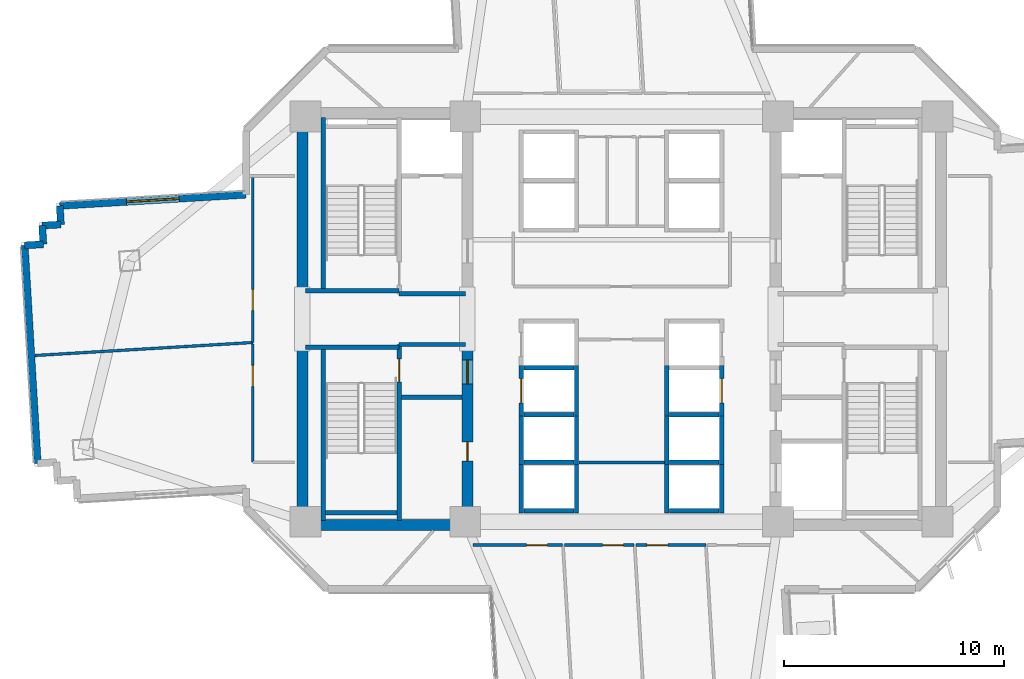
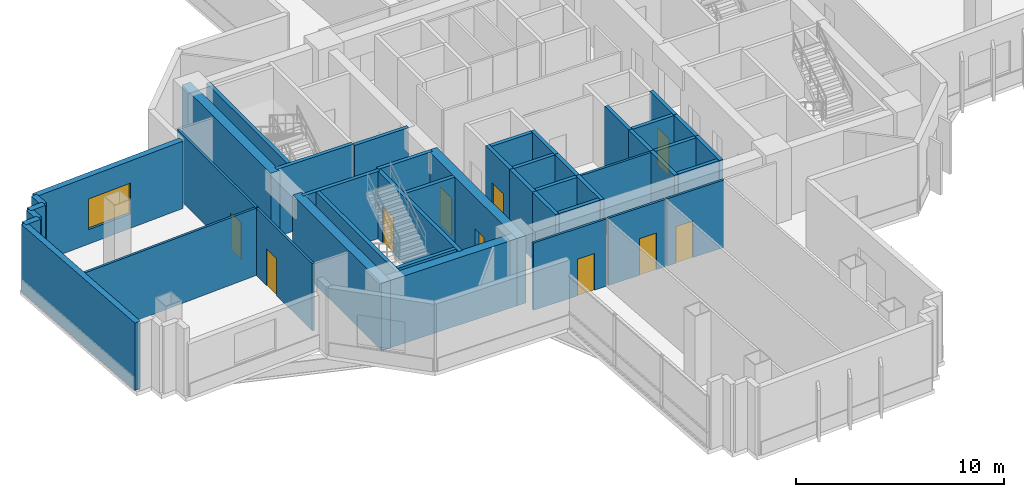
# One storey, part 6 of 15: 45 walls, 10 doors, 1 window, 11 openings.
"""IFC4 building model written with IfcOpenShell, lengths in metres."""

from ifc_helpers import new_model, si_unit, direction, frame, frame_2d, origin, place, context, subcontext, project, spatial, rectangle, extrude, source, transform, mapped, material, layer, layer_set, type_object, element, fill, save


model = new_model("IFC4")

# Units and contexts
model_context = context("Model", 3, precision=1e-05, world=origin(), true_north=direction((0.0, 1.0)))
body_context = subcontext(model_context, "Body", "Model", "MODEL_VIEW")
ifc_project = project(units=[si_unit("LENGTHUNIT", "METRE"), si_unit("AREAUNIT", "SQUARE_METRE"), si_unit("VOLUMEUNIT", "CUBIC_METRE"), si_unit("PLANEANGLEUNIT", "RADIAN"), si_unit("MASSUNIT", "GRAM", prefix="KILO")], contexts=[model_context])

# Site, building, storey
site_placement = place(None, origin())
site = spatial("IfcSite", under=ifc_project, at=site_placement, CompositionType="ELEMENT")
building_placement = place(site_placement, origin())
building = spatial("IfcBuilding", under=site, at=building_placement, Name="Zahravan Cultural Tower", CompositionType="ELEMENT")
storey_placement = place(building_placement, frame((0.0, 0.0, 66.89990234375)))
storey = spatial("IfcBuildingStorey", under=building, at=storey_placement, Name="L14", CompositionType="ELEMENT", Elevation=66.89990234375)

# Wall, openings, doors
ifc_material_1 = material(Name="Concrete C60/75", Category="concrete")
ifc_layer_1 = layer(ifc_material_1, 0.5)
ifc_layer_set_1 = layer_set([ifc_layer_1], Name="Concrete C60/75")
wall_type_1 = type_object("IfcWallType", Name="CW-SHEAR-500-C60", PredefinedType="SHEAR", material=ifc_layer_set_1)
wall_1_placement = place(storey_placement, frame((29.0, 17.39990234375, 0.0), z_axis=(0.0, 0.0, 1.0), x_axis=(0.0, 1.0, 0.0)))
wall_1 = element("IfcWall", 1, at=wall_1_placement, inside=storey, type_object=wall_type_1, Name="L14 Core Shear Wall CW-W-ES-L14", PredefinedType="SHEAR", context=body_context, shape_type="SweptSolid", body=[
    extrude(rectangle(XDim=8.550048828125, YDim=0.5, at=frame_2d((4.27490234375, 0.0))), origin(), (0.0, 0.0, 1.0), 3.9501953125),
])
opening_1_placement = place(wall_1_placement, frame((6.64990234375, 0.0, 0.0)))
opening_1 = element("IfcOpeningElement", 2, at=opening_1_placement, cuts=wall_1, Name="Opening D-L14-07", PredefinedType="OPENING", context=body_context, shape_type="SweptSolid", body=[
    extrude(rectangle(XDim=1.10009765625, YDim=2.199951171875, at=frame_2d((0.550048828125, 1.10009765625))), frame((0.0, 0.260009765625, 0.0), z_axis=(0.0, -1.0, 0.0), x_axis=(1.0, 0.0, 0.0)), (0.0, 0.0, 1.0), 0.52001953125),
])
opening_2_placement = place(wall_1_placement, frame((3.14990234375, 0.0, 0.0)))
opening_2 = element("IfcOpeningElement", 3, at=opening_2_placement, cuts=wall_1, Name="Opening D-L14-09", PredefinedType="OPENING", context=body_context, shape_type="SweptSolid", body=[
    extrude(rectangle(XDim=0.8798828125, YDim=2.10009765625, at=frame_2d((0.43994140625, 1.050048828125))), frame((0.0, 0.260009765625, 0.0), z_axis=(0.0, -1.0, 0.0), x_axis=(1.0, 0.0, 0.0)), (0.0, 0.0, 1.0), 0.52001953125),
])
ifc_material_2 = material(Name="Steel ASTM A572 Grade 50", Category="steel")
door_type_1 = type_object("IfcDoorType", Name="DR-LOBBY-1100", OperationType="NOTDEFINED", PredefinedType="DOOR", material=ifc_material_2)
shared_shape_1 = source(origin(), body_context, "Body", "SweptSolid", [
    extrude(rectangle(XDim=1.10009765625, YDim=2.199951171875, at=frame_2d((0.550048828125, 1.10009765625))), frame((0.0, 0.02490234375, 0.0), z_axis=(0.0, -1.0, 0.0), x_axis=(1.0, 0.0, 0.0)), (0.0, 0.0, 1.0), 0.050048828125),
])
door_1_placement = place(opening_1_placement, origin())
door_1 = element("IfcDoor", 4, at=door_1_placement, inside=storey, type_object=door_type_1, Name="L14 Door D-L14-07", OperationType="SINGLE_SWING_RIGHT", OverallHeight=2.199951171875, OverallWidth=1.10009765625, PredefinedType="DOOR", context=body_context, shape_type="MappedRepresentation", body=[
    mapped(shared_shape_1, transform((0.0, 0.0, 0.0), x_axis=(1.0, 0.0, 0.0), y_axis=(0.0, 1.0, 0.0), z_axis=(0.0, 0.0, 1.0), scale=1.0)),
])
fill(opening_1, door_1)
door_type_2 = type_object("IfcDoorType", Name="DR-SVC-880", OperationType="NOTDEFINED", PredefinedType="DOOR", material=ifc_material_2)
shared_shape_2 = source(origin(), body_context, "Body", "SweptSolid", [
    extrude(rectangle(XDim=0.8798828125, YDim=2.10009765625, at=frame_2d((0.43994140625, 1.050048828125))), frame((0.0, 0.02490234375, 0.0), z_axis=(0.0, -1.0, 0.0), x_axis=(1.0, 0.0, 0.0)), (0.0, 0.0, 1.0), 0.050048828125),
])
door_2_placement = place(opening_2_placement, origin())
door_2 = element("IfcDoor", 5, at=door_2_placement, inside=storey, type_object=door_type_2, Name="L14 Door D-L14-09", OperationType="SINGLE_SWING_RIGHT", OverallHeight=2.10009765625, OverallWidth=0.8798828125, PredefinedType="DOOR", context=body_context, shape_type="MappedRepresentation", body=[
    mapped(shared_shape_2, transform((0.0, 0.0, 0.0), x_axis=(1.0, 0.0, 0.0), y_axis=(0.0, 1.0, 0.0), z_axis=(0.0, 0.0, 1.0), scale=1.0)),
])
fill(opening_2, door_2)

# Wall, opening, window
ifc_material_3 = material(Name="Precast concrete C40/50", Category="concrete")
ifc_layer_2 = layer(ifc_material_3, 0.320068359375)
ifc_layer_set_2 = layer_set([ifc_layer_2], Name="Precast concrete C40/50")
wall_type_2 = type_object("IfcWallType", Name="EW-TC-320", PredefinedType="SOLIDWALL", material=ifc_layer_set_2)
wall_2_placement = place(storey_placement, frame((10.487548828125, 32.147216796875, 0.0), z_axis=(0.0, 0.0, 1.0), x_axis=(0.998219055518, 0.059654984716, 0.0)))
wall_2 = element("IfcWall", 6, at=wall_2_placement, inside=storey, type_object=wall_type_2, Name="L14 Exterior Masonry Frame Wall 38", PredefinedType="SOLIDWALL", context=body_context, shape_type="SweptSolid", body=[
    extrude(rectangle(XDim=8.467529296875, YDim=0.320068359375, at=frame_2d((4.23388671875, 0.0))), origin(), (0.0, 0.0, 1.0), 3.9501953125),
])
opening_3_placement = place(wall_2_placement, frame((3.033935546875, 0.0, 0.85009765625)))
opening_3 = element("IfcOpeningElement", 7, at=opening_3_placement, cuts=wall_2, Name="Opening WN-01", PredefinedType="OPENING", context=body_context, shape_type="SweptSolid", body=[
    extrude(rectangle(XDim=2.39990234375, YDim=1.800048828125, at=frame_2d((1.199951171875, 0.89990234375))), frame((0.0, 0.169921875, 0.0), z_axis=(0.0, -1.0, 0.0), x_axis=(1.0, 0.0, 0.0)), (0.0, 0.0, 1.0), 0.340087890625),
])
ifc_material_4 = material(Name="Low-E solar-control double glazing", Category="glass")
window_type = type_object("IfcWindowType", Name="WN-REC-2400X1800", PartitioningType="DOUBLE_PANEL_VERTICAL", PredefinedType="WINDOW", material=ifc_material_4)
shared_shape_3 = source(origin(), body_context, "Body", "SweptSolid", [
    extrude(rectangle(XDim=2.39990234375, YDim=1.800048828125, at=frame_2d((1.199951171875, 0.89990234375))), frame((0.0, 0.030029296875, 0.0), z_axis=(0.0, -1.0, 0.0), x_axis=(1.0, 0.0, 0.0)), (0.0, 0.0, 1.0), 0.06005859375),
])
window_placement = place(opening_3_placement, origin())
window = element("IfcWindow", 8, at=window_placement, inside=storey, type_object=window_type, Name="L14 Recessed Solar Window 08", OverallHeight=1.800048828125, OverallWidth=2.39990234375, PartitioningType="DOUBLE_PANEL_VERTICAL", PredefinedType="WINDOW", context=body_context, shape_type="MappedRepresentation", body=[
    mapped(shared_shape_3, transform((0.0, 0.0, 0.0), x_axis=(1.0, 0.0, 0.0), y_axis=(0.0, 1.0, 0.0), z_axis=(0.0, 0.0, 1.0), scale=1.0)),
])
fill(opening_3, window)

# Wall, opening, door
ifc_material_5 = material(Name="Gypsum plasterboard partition")
ifc_layer_3 = layer(ifc_material_5, 0.125)
ifc_layer_set_3 = layer_set([ifc_layer_3], Name="Gypsum plasterboard partition")
wall_type_3 = type_object("IfcWallType", Name="W-PART-125", PredefinedType="PARTITIONING", material=ifc_layer_set_3)
wall_3_placement = place(storey_placement, frame((36.66064453125, 16.739990234375, 0.0), z_axis=(0.0, 0.0, 1.0), x_axis=(1.0, 0.0, 0.0)))
wall_3 = element("IfcWall", 9, at=wall_3_placement, inside=storey, type_object=wall_type_3, Name="L14 Interior Wall 080", PredefinedType="PARTITIONING", context=body_context, shape_type="SweptSolid", body=[
    extrude(rectangle(XDim=3.168212890625, YDim=0.125, at=frame_2d((1.583984375, 0.0))), origin(), (0.0, 0.0, 1.0), 3.9501953125),
])
opening_4_placement = place(wall_3_placement, frame((0.488037109375, 0.0, 0.0)))
opening_4 = element("IfcOpeningElement", 10, at=opening_4_placement, cuts=wall_3, Name="Opening D-L14-24", PredefinedType="OPENING", context=body_context, shape_type="SweptSolid", body=[
    extrude(rectangle(XDim=0.949951171875, YDim=2.14990234375, at=frame_2d((0.47509765625, 1.074951171875))), frame((0.0, 0.072509765625, 0.0), z_axis=(0.0, -1.0, 0.0), x_axis=(1.0, 0.0, 0.0)), (0.0, 0.0, 1.0), 0.14501953125),
])
ifc_material_6 = material(Name="Anodised bronze-aluminium mullion", Category="aluminium")
door_type_3 = type_object("IfcDoorType", Name="DR-ROOM-950", OperationType="NOTDEFINED", PredefinedType="DOOR", material=ifc_material_6)
shared_shape_4 = source(origin(), body_context, "Body", "SweptSolid", [
    extrude(rectangle(XDim=0.949951171875, YDim=2.14990234375, at=frame_2d((0.47509765625, 1.074951171875))), frame((0.0, 0.02490234375, 0.0), z_axis=(0.0, -1.0, 0.0), x_axis=(1.0, 0.0, 0.0)), (0.0, 0.0, 1.0), 0.050048828125),
])
door_3_placement = place(opening_4_placement, origin())
door_3 = element("IfcDoor", 11, at=door_3_placement, inside=storey, type_object=door_type_3, Name="L14 Door D-L14-24", OperationType="SINGLE_SWING_LEFT", OverallHeight=2.14990234375, OverallWidth=0.949951171875, PredefinedType="DOOR", context=body_context, shape_type="MappedRepresentation", body=[
    mapped(shared_shape_4, transform((0.0, 0.0, 0.0), x_axis=(1.0, 0.0, 0.0), y_axis=(0.0, 1.0, 0.0), z_axis=(0.0, 0.0, 1.0), scale=1.0)),
])
fill(opening_4, door_3)

wall_4_placement = place(storey_placement, frame((33.40478515625, 16.739990234375, 0.0), z_axis=(0.0, 0.0, 1.0), x_axis=(1.0, 0.0, 0.0)))
wall_4 = element("IfcWall", 12, at=wall_4_placement, inside=storey, type_object=wall_type_3, Name="L14 Interior Wall 083", PredefinedType="PARTITIONING", context=body_context, shape_type="SweptSolid", body=[
    extrude(rectangle(XDim=3.168212890625, YDim=0.125, at=frame_2d((1.583984375, 0.0))), origin(), (0.0, 0.0, 1.0), 3.9501953125),
])
opening_5_placement = place(wall_4_placement, frame((1.730224609375, 0.0, 0.0)))
opening_5 = element("IfcOpeningElement", 13, at=opening_5_placement, cuts=wall_4, Name="Opening D-L14-23", PredefinedType="OPENING", context=body_context, shape_type="SweptSolid", body=[
    extrude(rectangle(XDim=0.949951171875, YDim=2.14990234375, at=frame_2d((0.47509765625, 1.074951171875))), frame((0.0, 0.072509765625, 0.0), z_axis=(0.0, -1.0, 0.0), x_axis=(1.0, 0.0, 0.0)), (0.0, 0.0, 1.0), 0.14501953125),
])
door_4_placement = place(opening_5_placement, origin())
door_4 = element("IfcDoor", 14, at=door_4_placement, inside=storey, type_object=door_type_3, Name="L14 Door D-L14-23", OperationType="SINGLE_SWING_RIGHT", OverallHeight=2.14990234375, OverallWidth=0.949951171875, PredefinedType="DOOR", context=body_context, shape_type="MappedRepresentation", body=[
    mapped(shared_shape_4, transform((0.0, 0.0, 0.0), x_axis=(1.0, 0.0, 0.0), y_axis=(0.0, 1.0, 0.0), z_axis=(0.0, 0.0, 1.0), scale=1.0)),
])
fill(opening_5, door_4)

wall_5_placement = place(storey_placement, frame((29.257568359375, 16.740234375, 0.0), z_axis=(0.0, 0.0, 1.0), x_axis=(0.999999998192, -6.0135907e-05, 0.0)))
wall_5 = element("IfcWall", 15, at=wall_5_placement, inside=storey, type_object=wall_type_3, Name="L14 Interior Wall 087", PredefinedType="PARTITIONING", context=body_context, shape_type="SweptSolid", body=[
    extrude(rectangle(XDim=4.059814453125, YDim=0.125, at=frame_2d((2.02978515625, 0.0))), origin(), (0.0, 0.0, 1.0), 3.9501953125),
])
opening_6_placement = place(wall_5_placement, frame((2.425537109375, 0.0, 0.0)))
opening_6 = element("IfcOpeningElement", 16, at=opening_6_placement, cuts=wall_5, Name="Opening D-L14-22", PredefinedType="OPENING", context=body_context, shape_type="SweptSolid", body=[
    extrude(rectangle(XDim=0.949951171875, YDim=2.14990234375, at=frame_2d((0.47509765625, 1.074951171875))), frame((0.0, 0.072509765625, 0.0), z_axis=(0.0, -1.0, 0.0), x_axis=(1.0, 0.0, 0.0)), (0.0, 0.0, 1.0), 0.14501953125),
])
door_5_placement = place(opening_6_placement, origin())
door_5 = element("IfcDoor", 17, at=door_5_placement, inside=storey, type_object=door_type_3, Name="L14 Door D-L14-22", OperationType="SINGLE_SWING_LEFT", OverallHeight=2.14990234375, OverallWidth=0.949951171875, PredefinedType="DOOR", context=body_context, shape_type="MappedRepresentation", body=[
    mapped(shared_shape_4, transform((0.0, 0.0, 0.0), x_axis=(1.0, 0.0, 0.0), y_axis=(0.0, 1.0, 0.0), z_axis=(0.0, 0.0, 1.0), scale=1.0)),
])
fill(opening_6, door_5)

wall_6_placement = place(storey_placement, frame((19.252685546875, 33.497314453125, 0.0), z_axis=(0.0, 0.0, 1.0), x_axis=(-0.000355308612, -0.999999936878, 0.0)))
wall_6 = element("IfcWall", 18, at=wall_6_placement, inside=storey, type_object=wall_type_3, Name="L14 Interior Wall 094", PredefinedType="PARTITIONING", context=body_context, shape_type="SweptSolid", body=[
    extrude(rectangle(XDim=7.558349609375, YDim=0.125, at=frame_2d((3.779296875, 0.0))), origin(), (0.0, 0.0, 1.0), 3.9501953125),
])
opening_7_placement = place(wall_6_placement, frame((5.154541015625, 0.0, 0.0)))
opening_7 = element("IfcOpeningElement", 19, at=opening_7_placement, cuts=wall_6, Name="Opening D-L14-20", PredefinedType="OPENING", context=body_context, shape_type="SweptSolid", body=[
    extrude(rectangle(XDim=0.949951171875, YDim=2.14990234375, at=frame_2d((0.47509765625, 1.074951171875))), frame((0.0, 0.072509765625, 0.0), z_axis=(0.0, -1.0, 0.0), x_axis=(1.0, 0.0, 0.0)), (0.0, 0.0, 1.0), 0.14501953125),
])
door_6_placement = place(opening_7_placement, origin())
door_6 = element("IfcDoor", 20, at=door_6_placement, inside=storey, type_object=door_type_3, Name="L14 Door D-L14-20", OperationType="SINGLE_SWING_LEFT", OverallHeight=2.14990234375, OverallWidth=0.949951171875, PredefinedType="DOOR", context=body_context, shape_type="MappedRepresentation", body=[
    mapped(shared_shape_4, transform((0.0, 0.0, 0.0), x_axis=(1.0, 0.0, 0.0), y_axis=(0.0, 1.0, 0.0), z_axis=(0.0, 0.0, 1.0), scale=1.0)),
])
fill(opening_7, door_6)

wall_7_placement = place(storey_placement, frame((19.25, 25.871337890625, 0.0), z_axis=(0.0, 0.0, 1.0), x_axis=(9.0962841e-05, -0.999999995863, 0.0)))
wall_7 = element("IfcWall", 21, at=wall_7_placement, inside=storey, type_object=wall_type_3, Name="L14 Interior Wall 097", PredefinedType="PARTITIONING", context=body_context, shape_type="SweptSolid", body=[
    extrude(rectangle(XDim=5.367919921875, YDim=0.125, at=frame_2d((2.68408203125, 0.0))), origin(), (0.0, 0.0, 1.0), 3.9501953125),
])
opening_8_placement = place(wall_7_placement, frame((0.971923828125, 0.0, 0.0)))
opening_8 = element("IfcOpeningElement", 22, at=opening_8_placement, cuts=wall_7, Name="Opening D-L14-21", PredefinedType="OPENING", context=body_context, shape_type="SweptSolid", body=[
    extrude(rectangle(XDim=0.949951171875, YDim=2.14990234375, at=frame_2d((0.47509765625, 1.074951171875))), frame((0.0, 0.072509765625, 0.0), z_axis=(0.0, -1.0, 0.0), x_axis=(1.0, 0.0, 0.0)), (0.0, 0.0, 1.0), 0.14501953125),
])
door_7_placement = place(opening_8_placement, origin())
door_7 = element("IfcDoor", 23, at=door_7_placement, inside=storey, type_object=door_type_3, Name="L14 Door D-L14-21", OperationType="SINGLE_SWING_RIGHT", OverallHeight=2.14990234375, OverallWidth=0.949951171875, PredefinedType="DOOR", context=body_context, shape_type="MappedRepresentation", body=[
    mapped(shared_shape_4, transform((0.0, 0.0, 0.0), x_axis=(1.0, 0.0, 0.0), y_axis=(0.0, 1.0, 0.0), z_axis=(0.0, 0.0, 1.0), scale=1.0)),
])
fill(opening_8, door_7)

ifc_material_7 = material(Name="Concrete C45/55", Category="concrete")
ifc_layer_4 = layer(ifc_material_7, 0.199951171875)
ifc_layer_set_4 = layer_set([ifc_layer_4], Name="Concrete C45/55")
wall_type_4 = type_object("IfcWallType", Name="W-SHAFT-200", PredefinedType="SOLIDWALL", material=ifc_layer_set_4)
wall_8_placement = place(storey_placement, frame((25.89990234375, 17.85009765625, 0.0), z_axis=(0.0, 0.0, 1.0), x_axis=(0.0, 1.0, 0.0)))
wall_8 = element("IfcWall", 24, at=wall_8_placement, inside=storey, type_object=wall_type_4, Name="L14 Interior Wall 005", PredefinedType="SOLIDWALL", context=body_context, shape_type="SweptSolid", body=[
    extrude(rectangle(XDim=8.0, YDim=0.199951171875, at=frame_2d((4.0, 0.0))), origin(), (0.0, 0.0, 1.0), 3.9501953125),
])
opening_9_placement = place(wall_8_placement, frame((6.300048828125, 0.0, 0.0)))
opening_9 = element("IfcOpeningElement", 25, at=opening_9_placement, cuts=wall_8, Name="Opening D-L14-04", PredefinedType="OPENING", context=body_context, shape_type="SweptSolid", body=[
    extrude(rectangle(XDim=1.050048828125, YDim=2.14990234375, at=frame_2d((0.52490234375, 1.074951171875))), frame((0.0, 0.10986328125, 0.0), z_axis=(0.0, -1.0, 0.0), x_axis=(1.0, 0.0, 0.0)), (0.0, 0.0, 1.0), 0.219970703125),
])
door_type_4 = type_object("IfcDoorType", Name="DR-STAIR-1050", OperationType="NOTDEFINED", PredefinedType="DOOR", material=ifc_material_2)
shared_shape_5 = source(origin(), body_context, "Body", "SweptSolid", [
    extrude(rectangle(XDim=1.050048828125, YDim=2.14990234375, at=frame_2d((0.52490234375, 1.074951171875))), frame((0.0, 0.02490234375, 0.0), z_axis=(0.0, -1.0, 0.0), x_axis=(1.0, 0.0, 0.0)), (0.0, 0.0, 1.0), 0.050048828125),
])
door_8_placement = place(opening_9_placement, origin())
door_8 = element("IfcDoor", 26, at=door_8_placement, inside=storey, type_object=door_type_4, Name="L14 Door D-L14-04", OperationType="SINGLE_SWING_LEFT", OverallHeight=2.14990234375, OverallWidth=1.050048828125, PredefinedType="DOOR", context=body_context, shape_type="MappedRepresentation", body=[
    mapped(shared_shape_5, transform((0.0, 0.0, 0.0), x_axis=(1.0, 0.0, 0.0), y_axis=(0.0, 1.0, 0.0), z_axis=(0.0, 0.0, 1.0), scale=1.0)),
])
fill(opening_9, door_8)

wall_9_placement = place(storey_placement, frame((31.449951171875, 22.60009765625, 0.0), z_axis=(0.0, 0.0, 1.0), x_axis=(0.0, 1.0, 0.0)))
wall_9 = element("IfcWall", 27, at=wall_9_placement, inside=storey, type_object=wall_type_4, Name="L14 Interior Wall 058", PredefinedType="SOLIDWALL", context=body_context, shape_type="SweptSolid", body=[
    extrude(rectangle(XDim=2.2998046875, YDim=0.199951171875, at=frame_2d((1.14990234375, 0.0))), origin(), (0.0, 0.0, 1.0), 3.9501953125),
])
opening_10_placement = place(wall_9_placement, frame((0.60009765625, 0.0, 0.0)))
opening_10 = element("IfcOpeningElement", 28, at=opening_10_placement, cuts=wall_9, Name="Opening LD-L14-05", PredefinedType="OPENING", context=body_context, shape_type="SweptSolid", body=[
    extrude(rectangle(XDim=1.10009765625, YDim=2.14990234375, at=frame_2d((0.550048828125, 1.074951171875))), frame((0.0, 0.10986328125, 0.0), z_axis=(0.0, -1.0, 0.0), x_axis=(1.0, 0.0, 0.0)), (0.0, 0.0, 1.0), 0.219970703125),
])
door_type_5 = type_object("IfcDoorType", Name="DR-LIFT-1100", OperationType="DOUBLE_DOOR_SLIDING", PredefinedType="DOOR", material=ifc_material_2)
shared_shape_6 = source(origin(), body_context, "Body", "SweptSolid", [
    extrude(rectangle(XDim=1.10009765625, YDim=2.14990234375, at=frame_2d((0.550048828125, 1.074951171875))), frame((0.0, 0.02490234375, 0.0), z_axis=(0.0, -1.0, 0.0), x_axis=(1.0, 0.0, 0.0)), (0.0, 0.0, 1.0), 0.050048828125),
])
door_9_placement = place(opening_10_placement, origin())
door_9 = element("IfcDoor", 29, at=door_9_placement, inside=storey, type_object=door_type_5, Name="L14 Door LD-L14-05", OperationType="DOUBLE_DOOR_SLIDING", OverallHeight=2.14990234375, OverallWidth=1.10009765625, PredefinedType="DOOR", context=body_context, shape_type="MappedRepresentation", body=[
    mapped(shared_shape_6, transform((0.0, 0.0, 0.0), x_axis=(1.0, 0.0, 0.0), y_axis=(0.0, 1.0, 0.0), z_axis=(0.0, 0.0, 1.0), scale=1.0)),
])
fill(opening_10, door_9)

wall_10_placement = place(storey_placement, frame((40.550048828125, 22.60009765625, 0.0), z_axis=(0.0, 0.0, 1.0), x_axis=(0.0, 1.0, 0.0)))
wall_10 = element("IfcWall", 30, at=wall_10_placement, inside=storey, type_object=wall_type_4, Name="L14 Interior Wall 065", PredefinedType="SOLIDWALL", context=body_context, shape_type="SweptSolid", body=[
    extrude(rectangle(XDim=2.2998046875, YDim=0.199951171875, at=frame_2d((1.14990234375, 0.0))), origin(), (0.0, 0.0, 1.0), 3.9501953125),
])
opening_11_placement = place(wall_10_placement, frame((0.60009765625, 0.0, 0.0)))
opening_11 = element("IfcOpeningElement", 31, at=opening_11_placement, cuts=wall_10, Name="Opening LD-L14-07", PredefinedType="OPENING", context=body_context, shape_type="SweptSolid", body=[
    extrude(rectangle(XDim=1.10009765625, YDim=2.14990234375, at=frame_2d((0.550048828125, 1.074951171875))), frame((0.0, 0.10986328125, 0.0), z_axis=(0.0, -1.0, 0.0), x_axis=(1.0, 0.0, 0.0)), (0.0, 0.0, 1.0), 0.219970703125),
])
door_10_placement = place(opening_11_placement, origin())
door_10 = element("IfcDoor", 32, at=door_10_placement, inside=storey, type_object=door_type_5, Name="L14 Door LD-L14-07", OperationType="DOUBLE_DOOR_SLIDING", OverallHeight=2.14990234375, OverallWidth=1.10009765625, PredefinedType="DOOR", context=body_context, shape_type="MappedRepresentation", body=[
    mapped(shared_shape_6, transform((0.0, 0.0, 0.0), x_axis=(1.0, 0.0, 0.0), y_axis=(0.0, 1.0, 0.0), z_axis=(0.0, 0.0, 1.0), scale=1.0)),
])
fill(opening_11, door_10)

# Walls
shared_shape_7 = source(origin(), body_context, "Body", "SweptSolid", [
    extrude(rectangle(XDim=8.550048828125, YDim=0.5, at=frame_2d((4.27490234375, 0.0))), origin(), (0.0, 0.0, 1.0), 3.9501953125),
])
for number, where, z_axis, x_axis, name in (
    (33, (21.5, 17.39990234375, 0.0), (0.0, 0.0, 1.0), (0.0, 1.0, 0.0), "L14 Core Shear Wall CW-W-WS-L14"),
    (34, (21.5, 28.050048828125, 0.0), (0.0, 0.0, 1.0), (0.0, 1.0, 0.0), "L14 Core Shear Wall CW-W-WN-L14"),
):
    element("IfcWall", number, at=place(storey_placement, frame(where, z_axis=z_axis, x_axis=x_axis)), inside=storey, type_object=wall_type_1, Name=name, PredefinedType="SHEAR", context=body_context, shape_type="MappedRepresentation", body=[
        mapped(shared_shape_7, transform((0.0, 0.0, 0.0), x_axis=(1.0, 0.0, 0.0), y_axis=(0.0, 1.0, 0.0), z_axis=(0.0, 0.0, 1.0), scale=1.0)),
    ])
shared_shape_8 = source(origin(), body_context, "Body", "SweptSolid", [
    extrude(rectangle(XDim=7.0, YDim=0.5, at=frame_2d((3.5, 0.0))), origin(), (0.0, 0.0, 1.0), 3.9501953125),
])
wall_11_placement = place(storey_placement, frame((21.75, 17.64990234375, 0.0), z_axis=(0.0, 0.0, 1.0), x_axis=(1.0, 0.0, 0.0)))
element("IfcWall", 35, at=wall_11_placement, inside=storey, type_object=wall_type_1, Name="L14 Core Shear Wall CW-W-S-L14", PredefinedType="SHEAR", context=body_context, shape_type="MappedRepresentation", body=[
    mapped(shared_shape_8, transform((0.0, 0.0, 0.0), x_axis=(1.0, 0.0, 0.0), y_axis=(0.0, 1.0, 0.0), z_axis=(0.0, 0.0, 1.0), scale=1.0)),
])
shared_shape_9 = source(origin(), body_context, "Body", "SweptSolid", [
    extrude(rectangle(XDim=0.85009765625, YDim=0.320068359375, at=frame_2d((0.425048828125, 0.0))), origin(), (0.0, 0.0, 1.0), 3.9501953125),
])
for number, where, z_axis, x_axis, name in (
    (36, (8.891845703125, 30.348876953125, 0.0), (0.0, 0.0, 1.0), (0.998231529116, 0.059445893707, 0.0), "L14 Exterior Masonry Frame Wall 34"),
    (37, (9.740478515625, 30.3994140625, 0.0), (0.0, 0.0, 1.0), (-0.059732049764, 0.998214447016, 0.0), "L14 Exterior Masonry Frame Wall 35"),
    (38, (10.5380859375, 31.298583984375, 0.0), (0.0, 0.0, 1.0), (-0.059445893707, 0.998231529116, 0.0), "L14 Exterior Masonry Frame Wall 37"),
):
    element("IfcWall", number, at=place(storey_placement, frame(where, z_axis=z_axis, x_axis=x_axis)), inside=storey, type_object=wall_type_2, Name=name, PredefinedType="SOLIDWALL", context=body_context, shape_type="MappedRepresentation", body=[
        mapped(shared_shape_9, transform((0.0, 0.0, 0.0), x_axis=(1.0, 0.0, 0.0), y_axis=(0.0, 1.0, 0.0), z_axis=(0.0, 0.0, 1.0), scale=1.0)),
    ])
shared_shape_10 = source(origin(), body_context, "Body", "SweptSolid", [
    extrude(rectangle(XDim=0.849853515625, YDim=0.320068359375, at=frame_2d((0.4248046875, 0.0))), origin(), (0.0, 0.0, 1.0), 3.9501953125),
])
wall_12_placement = place(storey_placement, frame((9.689697265625, 31.248046875, 0.0), z_axis=(0.0, 0.0, 1.0), x_axis=(0.998230513845, 0.059462939961, 0.0)))
element("IfcWall", 39, at=wall_12_placement, inside=storey, type_object=wall_type_2, Name="L14 Exterior Masonry Frame Wall 36", PredefinedType="SOLIDWALL", context=body_context, shape_type="MappedRepresentation", body=[
    mapped(shared_shape_10, transform((0.0, 0.0, 0.0), x_axis=(1.0, 0.0, 0.0), y_axis=(0.0, 1.0, 0.0), z_axis=(0.0, 0.0, 1.0), scale=1.0)),
])
shared_shape_11 = source(origin(), body_context, "Body", "SweptSolid", [
    extrude(rectangle(XDim=9.919921875, YDim=0.320068359375, at=frame_2d((4.9599609375, 0.0))), origin(), (0.0, 0.0, 1.0), 3.9501953125),
])
wall_13_placement = place(storey_placement, frame((9.483642578125, 20.446533203125, 0.0), z_axis=(0.0, 0.0, 1.0), x_axis=(-0.059656871726, 0.998218942745, 0.0)))
element("IfcWall", 40, at=wall_13_placement, inside=storey, type_object=wall_type_2, Name="L14 Exterior Masonry Frame Wall 33", PredefinedType="SOLIDWALL", context=body_context, shape_type="MappedRepresentation", body=[
    mapped(shared_shape_11, transform((0.0, 0.0, 0.0), x_axis=(1.0, 0.0, 0.0), y_axis=(0.0, 1.0, 0.0), z_axis=(0.0, 0.0, 1.0), scale=1.0)),
])
shared_shape_12 = source(origin(), body_context, "Body", "SweptSolid", [
    extrude(rectangle(XDim=7.869873046875, YDim=0.199951171875, at=frame_2d((3.93505859375, 0.0))), origin(), (0.0, 0.0, 1.0), 3.9501953125),
])
for number, where, z_axis, x_axis, name in (
    (41, (22.449951171875, 17.85009765625, 0.0), (0.0, 0.0, 1.0), (0.0, 1.0, 0.0), "L14 Interior Wall 001"),
    (42, (22.449951171875, 28.280029296875, 0.0), (0.0, 0.0, 1.0), (0.0, 1.0, 0.0), "L14 Interior Wall 002"),
):
    element("IfcWall", number, at=place(storey_placement, frame(where, z_axis=z_axis, x_axis=x_axis)), inside=storey, type_object=wall_type_4, Name=name, PredefinedType="SOLIDWALL", context=body_context, shape_type="MappedRepresentation", body=[
        mapped(shared_shape_12, transform((0.0, 0.0, 0.0), x_axis=(1.0, 0.0, 0.0), y_axis=(0.0, 1.0, 0.0), z_axis=(0.0, 0.0, 1.0), scale=1.0)),
    ])
shared_shape_13 = source(origin(), body_context, "Body", "SweptSolid", [
    extrude(rectangle(XDim=4.25, YDim=0.199951171875, at=frame_2d((2.125, 0.0))), origin(), (0.0, 0.0, 1.0), 3.9501953125),
])
for number, where, z_axis, x_axis, name in (
    (43, (21.64990234375, 25.715087890625, 0.0), (0.0, 0.0, 1.0), (1.0, 0.0, 0.0), "L14 Interior Wall 009"),
    (44, (21.64990234375, 28.284912109375, 0.0), (0.0, 0.0, 1.0), (1.0, 0.0, 0.0), "L14 Interior Wall 011"),
):
    element("IfcWall", number, at=place(storey_placement, frame(where, z_axis=z_axis, x_axis=x_axis)), inside=storey, type_object=wall_type_4, Name=name, PredefinedType="SOLIDWALL", context=body_context, shape_type="MappedRepresentation", body=[
        mapped(shared_shape_13, transform((0.0, 0.0, 0.0), x_axis=(1.0, 0.0, 0.0), y_axis=(0.0, 1.0, 0.0), z_axis=(0.0, 0.0, 1.0), scale=1.0)),
    ])
shared_shape_14 = source(origin(), body_context, "Body", "SweptSolid", [
    extrude(rectangle(XDim=3.0, YDim=0.199951171875, at=frame_2d((1.5, 0.0))), origin(), (0.0, 0.0, 1.0), 3.9501953125),
])
for number, where, z_axis, x_axis, name in (
    (45, (25.89990234375, 25.85009765625, 0.0), (0.0, 0.0, 1.0), (1.0, 0.0, 0.0), "L14 Interior Wall 010"),
    (46, (25.89990234375, 28.14990234375, 0.0), (0.0, 0.0, 1.0), (1.0, 0.0, 0.0), "L14 Interior Wall 012"),
):
    element("IfcWall", number, at=place(storey_placement, frame(where, z_axis=z_axis, x_axis=x_axis)), inside=storey, type_object=wall_type_4, Name=name, PredefinedType="SOLIDWALL", context=body_context, shape_type="MappedRepresentation", body=[
        mapped(shared_shape_14, transform((0.0, 0.0, 0.0), x_axis=(1.0, 0.0, 0.0), y_axis=(0.0, 1.0, 0.0), z_axis=(0.0, 0.0, 1.0), scale=1.0)),
    ])
shared_shape_15 = source(origin(), body_context, "Body", "SweptSolid", [
    extrude(rectangle(XDim=3.25, YDim=0.199951171875, at=frame_2d((1.625, 0.0))), origin(), (0.0, 0.0, 1.0), 3.9501953125),
])
wall_14_placement = place(storey_placement, frame((22.550048828125, 18.199951171875, 0.0), z_axis=(0.0, 0.0, 1.0), x_axis=(1.0, 0.0, 0.0)))
element("IfcWall", 47, at=wall_14_placement, inside=storey, type_object=wall_type_4, Name="L14 Interior Wall 019", PredefinedType="SOLIDWALL", context=body_context, shape_type="MappedRepresentation", body=[
    mapped(shared_shape_15, transform((0.0, 0.0, 0.0), x_axis=(1.0, 0.0, 0.0), y_axis=(0.0, 1.0, 0.0), z_axis=(0.0, 0.0, 1.0), scale=1.0)),
])
shared_shape_16 = source(origin(), body_context, "Body", "SweptSolid", [
    extrude(rectangle(XDim=2.75, YDim=0.199951171875, at=frame_2d((1.375, 0.0))), origin(), (0.0, 0.0, 1.0), 3.9501953125),
])
wall_15_placement = place(storey_placement, frame((26.0, 23.449951171875, 0.0), z_axis=(0.0, 0.0, 1.0), x_axis=(1.0, 0.0, 0.0)))
element("IfcWall", 48, at=wall_15_placement, inside=storey, type_object=wall_type_4, Name="L14 Interior Wall 023", PredefinedType="SOLIDWALL", context=body_context, shape_type="MappedRepresentation", body=[
    mapped(shared_shape_16, transform((0.0, 0.0, 0.0), x_axis=(1.0, 0.0, 0.0), y_axis=(0.0, 1.0, 0.0), z_axis=(0.0, 0.0, 1.0), scale=1.0)),
])
shared_shape_17 = source(origin(), body_context, "Body", "SweptSolid", [
    extrude(rectangle(XDim=2.260009765625, YDim=0.199951171875, at=frame_2d((1.1298828125, 0.0))), origin(), (0.0, 0.0, 1.0), 3.9501953125),
])
for number, where, z_axis, x_axis, name in (
    (49, (31.570068359375, 20.5, 0.0), (0.0, 0.0, 1.0), (1.0, 0.0, 0.0), "L14 Interior Wall 042"),
    (50, (31.570068359375, 22.64990234375, 0.0), (0.0, 0.0, 1.0), (1.0, 0.0, 0.0), "L14 Interior Wall 043"),
    (51, (31.570068359375, 18.300048828125, 0.0), (0.0, 0.0, 1.0), (1.0, 0.0, 0.0), "L14 Interior Wall 046"),
    (52, (38.169921875, 20.5, 0.0), (0.0, 0.0, 1.0), (1.0, 0.0, 0.0), "L14 Interior Wall 049"),
    (53, (38.169921875, 22.64990234375, 0.0), (0.0, 0.0, 1.0), (1.0, 0.0, 0.0), "L14 Interior Wall 050"),
    (54, (38.169921875, 18.300048828125, 0.0), (0.0, 0.0, 1.0), (1.0, 0.0, 0.0), "L14 Interior Wall 053"),
    (55, (31.570068359375, 24.800048828125, 0.0), (0.0, 0.0, 1.0), (1.0, 0.0, 0.0), "L14 Interior Wall 056"),
):
    element("IfcWall", number, at=place(storey_placement, frame(where, z_axis=z_axis, x_axis=x_axis)), inside=storey, type_object=wall_type_4, Name=name, PredefinedType="SOLIDWALL", context=body_context, shape_type="MappedRepresentation", body=[
        mapped(shared_shape_17, transform((0.0, 0.0, 0.0), x_axis=(1.0, 0.0, 0.0), y_axis=(0.0, 1.0, 0.0), z_axis=(0.0, 0.0, 1.0), scale=1.0)),
    ])
shared_shape_18 = source(origin(), body_context, "Body", "SweptSolid", [
    extrude(rectangle(XDim=2.35009765625, YDim=0.199951171875, at=frame_2d((1.175048828125, 0.0))), origin(), (0.0, 0.0, 1.0), 3.9501953125),
])
for number, where, z_axis, x_axis, name in (
    (56, (31.449951171875, 20.39990234375, 0.0), (0.0, 0.0, 1.0), (0.0, 1.0, 0.0), "L14 Interior Wall 040"),
    (57, (33.949951171875, 20.39990234375, 0.0), (0.0, 0.0, 1.0), (0.0, 1.0, 0.0), "L14 Interior Wall 041"),
    (58, (31.449951171875, 18.199951171875, 0.0), (0.0, 0.0, 1.0), (0.0, 1.0, 0.0), "L14 Interior Wall 044"),
    (59, (33.949951171875, 18.199951171875, 0.0), (0.0, 0.0, 1.0), (0.0, 1.0, 0.0), "L14 Interior Wall 045"),
    (60, (38.050048828125, 20.39990234375, 0.0), (0.0, 0.0, 1.0), (0.0, 1.0, 0.0), "L14 Interior Wall 047"),
    (61, (40.550048828125, 20.39990234375, 0.0), (0.0, 0.0, 1.0), (0.0, 1.0, 0.0), "L14 Interior Wall 048"),
    (62, (38.050048828125, 18.199951171875, 0.0), (0.0, 0.0, 1.0), (0.0, 1.0, 0.0), "L14 Interior Wall 051"),
    (63, (40.550048828125, 18.199951171875, 0.0), (0.0, 0.0, 1.0), (0.0, 1.0, 0.0), "L14 Interior Wall 052"),
):
    element("IfcWall", number, at=place(storey_placement, frame(where, z_axis=z_axis, x_axis=x_axis)), inside=storey, type_object=wall_type_4, Name=name, PredefinedType="SOLIDWALL", context=body_context, shape_type="MappedRepresentation", body=[
        mapped(shared_shape_18, transform((0.0, 0.0, 0.0), x_axis=(1.0, 0.0, 0.0), y_axis=(0.0, 1.0, 0.0), z_axis=(0.0, 0.0, 1.0), scale=1.0)),
    ])
shared_shape_19 = source(origin(), body_context, "Body", "SweptSolid", [
    extrude(rectangle(XDim=2.2998046875, YDim=0.199951171875, at=frame_2d((1.14990234375, 0.0))), origin(), (0.0, 0.0, 1.0), 3.9501953125),
])
for number, where, z_axis, x_axis, name in (
    (64, (33.949951171875, 22.60009765625, 0.0), (0.0, 0.0, 1.0), (0.0, 1.0, 0.0), "L14 Interior Wall 059"),
    (65, (38.050048828125, 22.60009765625, 0.0), (0.0, 0.0, 1.0), (0.0, 1.0, 0.0), "L14 Interior Wall 064"),
):
    element("IfcWall", number, at=place(storey_placement, frame(where, z_axis=z_axis, x_axis=x_axis)), inside=storey, type_object=wall_type_4, Name=name, PredefinedType="SOLIDWALL", context=body_context, shape_type="MappedRepresentation", body=[
        mapped(shared_shape_19, transform((0.0, 0.0, 0.0), x_axis=(1.0, 0.0, 0.0), y_axis=(0.0, 1.0, 0.0), z_axis=(0.0, 0.0, 1.0), scale=1.0)),
    ])
shared_shape_20 = source(origin(), body_context, "Body", "SweptSolid", [
    extrude(rectangle(XDim=3.89013671875, YDim=0.125, at=frame_2d((1.945068359375, 0.0))), origin(), (0.0, 0.0, 1.0), 3.9501953125),
])
wall_16_placement = place(storey_placement, frame((37.945068359375, 20.489990234375, 0.0), z_axis=(0.0, 0.0, 1.0), x_axis=(-1.0, 0.0, 0.0)))
element("IfcWall", 66, at=wall_16_placement, inside=storey, type_object=wall_type_3, Name="L14 Interior Wall 075", PredefinedType="PARTITIONING", context=body_context, shape_type="MappedRepresentation", body=[
    mapped(shared_shape_20, transform((0.0, 0.0, 0.0), x_axis=(1.0, 0.0, 0.0), y_axis=(0.0, 1.0, 0.0), z_axis=(0.0, 0.0, 1.0), scale=1.0)),
])
shared_shape_21 = source(origin(), body_context, "Body", "SweptSolid", [
    extrude(rectangle(XDim=9.911376953125, YDim=0.125, at=frame_2d((4.95556640625, 0.0))), origin(), (0.0, 0.0, 1.0), 3.9501953125),
])
wall_17_placement = place(storey_placement, frame((19.25, 25.93896484375, 0.0), z_axis=(0.0, 0.0, 1.0), x_axis=(-0.998218808208, -0.05965912285, 0.0)))
element("IfcWall", 67, at=wall_17_placement, inside=storey, type_object=wall_type_3, Name="L14 Interior Wall 095", PredefinedType="PARTITIONING", context=body_context, shape_type="MappedRepresentation", body=[
    mapped(shared_shape_21, transform((0.0, 0.0, 0.0), x_axis=(1.0, 0.0, 0.0), y_axis=(0.0, 1.0, 0.0), z_axis=(0.0, 0.0, 1.0), scale=1.0)),
])

save(model, "model.ifc")
